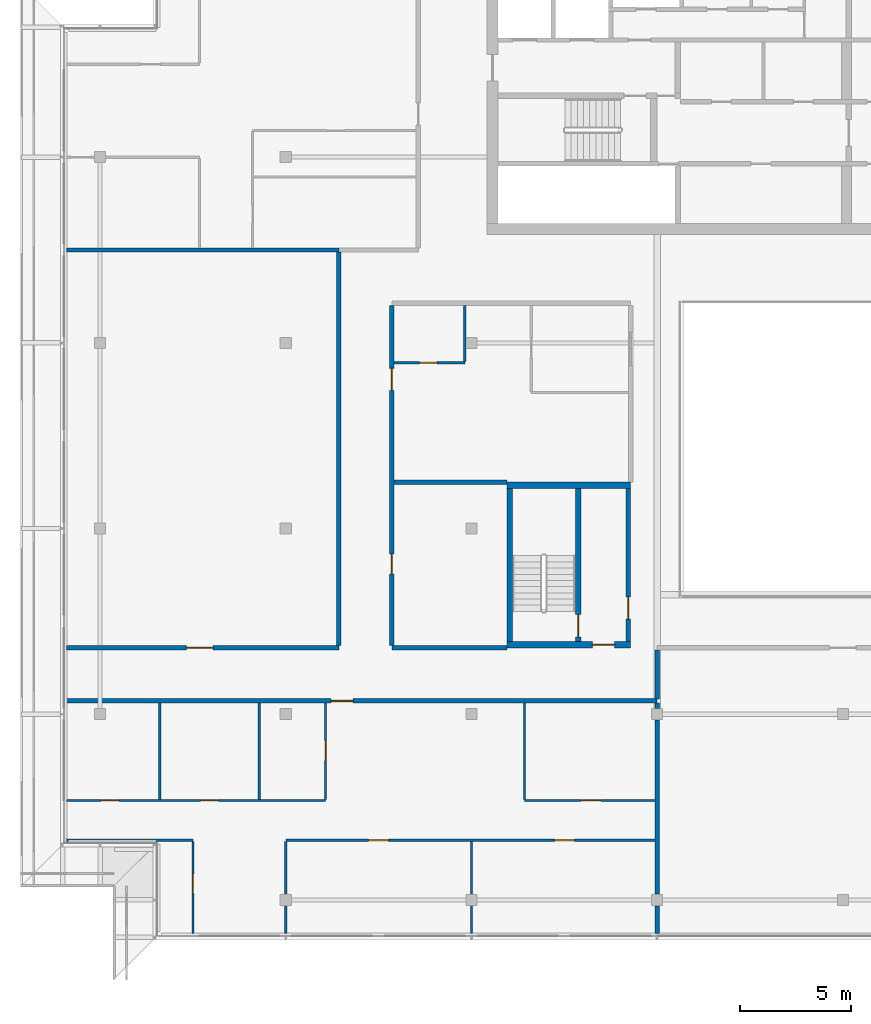
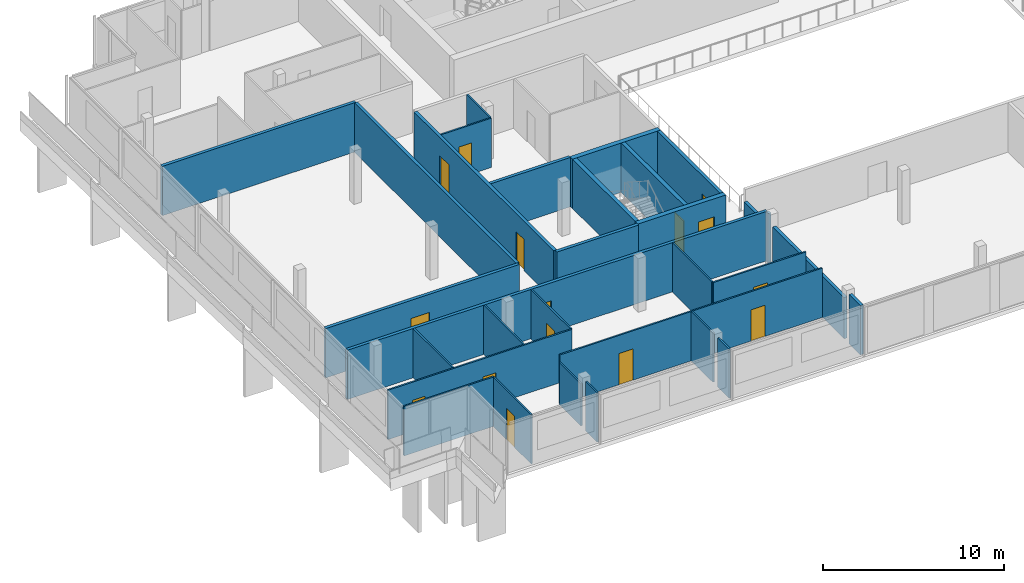
# One storey, part 16 of 27: 31 walls, 15 doors, 15 openings.
"""IFC4 building model written with IfcOpenShell, lengths in metres."""

from ifc_helpers import new_model, si_unit, direction, frame, frame_2d, origin, place, context, subcontext, project, spatial, rectangle, extrude, material, layer, layer_set, type_object, element, fill, save


model = new_model("IFC4")

# Units and contexts
model_context = context("Model", 3, precision=1e-05, world=origin(), true_north=direction((0.0, 1.0)))
body_context = subcontext(model_context, "Body", "Model", "MODEL_VIEW")
ifc_project = project(units=[si_unit("LENGTHUNIT", "METRE"), si_unit("AREAUNIT", "SQUARE_METRE"), si_unit("VOLUMEUNIT", "CUBIC_METRE"), si_unit("PLANEANGLEUNIT", "RADIAN"), si_unit("MASSUNIT", "GRAM", prefix="KILO")], contexts=[model_context])

# Site, building, storey
site_placement = place(None, origin())
site = spatial("IfcSite", under=ifc_project, at=site_placement, CompositionType="ELEMENT")
building_placement = place(site_placement, origin())
building = spatial("IfcBuilding", under=site, at=building_placement, Name="Saffron Gate Tower", CompositionType="ELEMENT")
storey_placement = place(building_placement, frame((0.0, 0.0, 267.14990234375)))
storey = spatial("IfcBuildingStorey", under=building, at=storey_placement, Name="L64", CompositionType="ELEMENT", Elevation=267.14990234375)

# Wall, opening, door
ifc_material_1 = material(Name="Gypsum board partition on steel studs", Category="steel")
ifc_layer_1 = layer(ifc_material_1, 0.199951171875)
ifc_layer_set_1 = layer_set([ifc_layer_1], Name="CW10 Core partition 200")
wall_type_1 = type_object("IfcWallType", Name="CW10 Core partition 200", PredefinedType="PARTITIONING", material=ifc_layer_set_1)
wall_1_placement = place(storey_placement, frame((73.699951171875, 43.5, 0.0), z_axis=(0.0, 0.0, 1.0), x_axis=(0.0, 1.0, 0.0)))
wall_1 = element("IfcWall", 1, at=wall_1_placement, inside=storey, type_object=wall_type_1, Name="Wall CW10-L64-D-4", PredefinedType="PARTITIONING", context=body_context, shape_type="SweptSolid", body=[
    extrude(rectangle(XDim=6.89990234375, YDim=0.199951171875, at=frame_2d((3.449951171875, 0.0))), origin(), (0.0, 0.0, 1.0), 3.320068359375),
])
opening_1_placement = place(wall_1_placement, frame((1.0, 0.0, 0.0)))
opening_1 = element("IfcOpeningElement", 2, at=opening_1_placement, cuts=wall_1, Name="Opening CR-19", PredefinedType="OPENING", context=body_context, shape_type="SweptSolid", body=[
    extrude(rectangle(XDim=1.0, YDim=2.10009765625, at=frame_2d((0.5, 1.050048828125))), frame((0.0, 0.10986328125, 0.0), z_axis=(0.0, -1.0, 0.0), x_axis=(1.0, 0.0, 0.0)), (0.0, 0.0, 1.0), 0.219970703125),
])
ifc_material_2 = material(Name="Steel fire door set", Category="steel")
door_type_1 = type_object("IfcDoorType", Name="CD4 Lobby door 1000x2100 EI 120", OperationType="NOTDEFINED", PredefinedType="DOOR", material=ifc_material_2)
door_1_placement = place(opening_1_placement, origin())
door_1 = element("IfcDoor", 3, at=door_1_placement, inside=storey, type_object=door_type_1, Name="DOOR CR-19", OperationType="SINGLE_SWING_RIGHT", OverallHeight=2.10009765625, OverallWidth=1.0, PredefinedType="DOOR", context=body_context, shape_type="SweptSolid", body=[
    extrude(rectangle(XDim=1.0, YDim=2.10009765625, at=frame_2d((0.5, 1.050048828125))), frame((0.0, 0.02490234375, 0.0), z_axis=(0.0, -1.0, 0.0), x_axis=(1.0, 0.0, 0.0)), (0.0, 0.0, 1.0), 0.050048828125),
])
fill(opening_1, door_1)

# Wall
ifc_material_3 = material(Name="Concrete C50", Category="concrete")
ifc_layer_2 = layer(ifc_material_3, 0.25)
ifc_layer_set_2 = layer_set([ifc_layer_2], Name="CW23 RC core wall 250 C50")
wall_type_2 = type_object("IfcWallType", Name="CW23 RC core wall 250 C50", PredefinedType="SOLIDWALL", material=ifc_layer_set_2)
wall_2_placement = place(storey_placement, frame((68.324951171875, 43.5, 0.0), z_axis=(0.0, 0.0, 1.0), x_axis=(0.0, 1.0, 0.0)))
element("IfcWall", 4, at=wall_2_placement, inside=storey, type_object=wall_type_2, Name="Wall CW23-L64-D-2", PredefinedType="SOLIDWALL", context=body_context, shape_type="SweptSolid", body=[
    extrude(rectangle(XDim=6.89990234375, YDim=0.25, at=frame_2d((3.449951171875, 0.0))), origin(), (0.0, 0.0, 1.0), 3.320068359375),
])

# Wall, opening, door
wall_3_placement = place(storey_placement, frame((71.425048828125, 43.5, 0.0), z_axis=(0.0, 0.0, 1.0), x_axis=(0.0, 1.0, 0.0)))
wall_3 = element("IfcWall", 5, at=wall_3_placement, inside=storey, type_object=wall_type_2, Name="Wall CW23-L64-D-3", PredefinedType="SOLIDWALL", context=body_context, shape_type="SweptSolid", body=[
    extrude(rectangle(XDim=6.89990234375, YDim=0.25, at=frame_2d((3.449951171875, 0.0))), origin(), (0.0, 0.0, 1.0), 3.320068359375),
])
opening_2_placement = place(wall_3_placement, frame((0.199951171875, 0.0, 0.0)))
opening_2 = element("IfcOpeningElement", 6, at=opening_2_placement, cuts=wall_3, Name="Opening CR-20", PredefinedType="OPENING", context=body_context, shape_type="SweptSolid", body=[
    extrude(rectangle(XDim=1.0, YDim=2.10009765625, at=frame_2d((0.5, 1.050048828125))), frame((0.0, 0.135009765625, 0.0), z_axis=(0.0, -1.0, 0.0), x_axis=(1.0, 0.0, 0.0)), (0.0, 0.0, 1.0), 0.27001953125),
])
door_type_2 = type_object("IfcDoorType", Name="CD5 Stair door 1000x2100 EI 120", OperationType="NOTDEFINED", PredefinedType="DOOR", material=ifc_material_2)
door_2_placement = place(opening_2_placement, origin())
door_2 = element("IfcDoor", 7, at=door_2_placement, inside=storey, type_object=door_type_2, Name="DOOR CR-20", OperationType="SINGLE_SWING_LEFT", OverallHeight=2.10009765625, OverallWidth=1.0, PredefinedType="DOOR", context=body_context, shape_type="SweptSolid", body=[
    extrude(rectangle(XDim=1.0, YDim=2.10009765625, at=frame_2d((0.5, 1.050048828125))), frame((0.0, 0.02490234375, 0.0), z_axis=(0.0, -1.0, 0.0), x_axis=(1.0, 0.0, 0.0)), (0.0, 0.0, 1.0), 0.050048828125),
])
fill(opening_2, door_2)

ifc_layer_3 = layer(ifc_material_3, 0.300048828125)
ifc_layer_set_3 = layer_set([ifc_layer_3], Name="CW26 RC core wall 300 C50")
wall_type_3 = type_object("IfcWallType", Name="CW26 RC core wall 300 C50", PredefinedType="SOLIDWALL", material=ifc_layer_set_3)
wall_4_placement = place(storey_placement, frame((68.199951171875, 43.35009765625, 0.0), z_axis=(0.0, 0.0, 1.0), x_axis=(1.0, 0.0, 0.0)))
wall_4 = element("IfcWall", 8, at=wall_4_placement, inside=storey, type_object=wall_type_3, Name="Wall CW26-L64-D-1", PredefinedType="SOLIDWALL", context=body_context, shape_type="SweptSolid", body=[
    extrude(rectangle(XDim=5.60009765625, YDim=0.300048828125, at=frame_2d((2.800048828125, 0.0))), origin(), (0.0, 0.0, 1.0), 3.320068359375),
])
opening_3_placement = place(wall_4_placement, frame((3.875, 0.0, 0.0)))
opening_3 = element("IfcOpeningElement", 9, at=opening_3_placement, cuts=wall_4, Name="Opening CR-18", PredefinedType="OPENING", context=body_context, shape_type="SweptSolid", body=[
    extrude(rectangle(XDim=1.0, YDim=2.10009765625, at=frame_2d((0.5, 1.050048828125))), frame((0.0, 0.16015625, 0.0), z_axis=(0.0, -1.0, 0.0), x_axis=(1.0, 0.0, 0.0)), (0.0, 0.0, 1.0), 0.320068359375),
])
door_3_placement = place(opening_3_placement, origin())
door_3 = element("IfcDoor", 10, at=door_3_placement, inside=storey, type_object=door_type_1, Name="DOOR CR-18", OperationType="SINGLE_SWING_RIGHT", OverallHeight=2.10009765625, OverallWidth=1.0, PredefinedType="DOOR", context=body_context, shape_type="SweptSolid", body=[
    extrude(rectangle(XDim=1.0, YDim=2.10009765625, at=frame_2d((0.5, 1.050048828125))), frame((0.0, 0.02490234375, 0.0), z_axis=(0.0, -1.0, 0.0), x_axis=(1.0, 0.0, 0.0)), (0.0, 0.0, 1.0), 0.050048828125),
])
fill(opening_3, door_3)

# Walls
wall_5_placement = place(storey_placement, frame((68.199951171875, 50.550048828125, 0.0), z_axis=(0.0, 0.0, 1.0), x_axis=(1.0, 0.0, 0.0)))
element("IfcWall", 11, at=wall_5_placement, inside=storey, type_object=wall_type_3, Name="Wall CW26-L64-D-5", PredefinedType="SOLIDWALL", context=body_context, shape_type="SweptSolid", body=[
    extrude(rectangle(XDim=5.60009765625, YDim=0.300048828125, at=frame_2d((2.800048828125, 0.0))), origin(), (0.0, 0.0, 1.0), 3.320068359375),
])
ifc_material_4 = material(Name="Plasterboard on steel studs", Category="steel")
ifc_layer_4 = layer(ifc_material_4, 0.10009765625)
ifc_layer_set_4 = layer_set([ifc_layer_4], Name="PW1 Partition 100")
wall_type_4 = type_object("IfcWallType", Name="PW1 Partition 100", PredefinedType="PARTITIONING", material=ifc_layer_set_4)
wall_6_placement = place(storey_placement, frame((48.280029296875, 34.5, 0.0), z_axis=(0.0, 0.0, 1.0), x_axis=(1.0, 0.0, 0.0)))
element("IfcWall", 12, at=wall_6_placement, inside=storey, type_object=wall_type_4, Name="Partition E1-1", PredefinedType="PARTITIONING", context=body_context, shape_type="SweptSolid", body=[
    extrude(rectangle(XDim=5.719970703125, YDim=0.10009765625, at=frame_2d((2.85986328125, 0.0))), origin(), (0.0, 0.0, 1.0), 3.320068359375),
])

# Wall, openings, doors
wall_7_placement = place(storey_placement, frame((74.89990234375, 34.5, 0.0), z_axis=(0.0, 0.0, 1.0), x_axis=(-1.0, 0.0, 0.0)))
wall_7 = element("IfcWall", 13, at=wall_7_placement, inside=storey, type_object=wall_type_4, Name="Partition E1-2", PredefinedType="PARTITIONING", context=body_context, shape_type="SweptSolid", body=[
    extrude(rectangle(XDim=16.699951171875, YDim=0.10009765625, at=frame_2d((8.35009765625, 0.0))), origin(), (0.0, 0.0, 1.0), 3.320068359375),
])
opening_4_placement = place(wall_7_placement, frame((3.64990234375, 0.0, 0.0)))
opening_4 = element("IfcOpeningElement", 14, at=opening_4_placement, cuts=wall_7, Name="Opening E1-9", PredefinedType="OPENING", context=body_context, shape_type="SweptSolid", body=[
    extrude(rectangle(XDim=0.89990234375, YDim=2.10009765625, at=frame_2d((0.449951171875, 1.050048828125))), frame((0.0, 0.06005859375, 0.0), z_axis=(0.0, -1.0, 0.0), x_axis=(1.0, 0.0, 0.0)), (0.0, 0.0, 1.0), 0.1201171875),
])
opening_5_placement = place(wall_7_placement, frame((12.050048828125, 0.0, 0.0)))
opening_5 = element("IfcOpeningElement", 15, at=opening_5_placement, cuts=wall_7, Name="Opening E1-8", PredefinedType="OPENING", context=body_context, shape_type="SweptSolid", body=[
    extrude(rectangle(XDim=0.89990234375, YDim=2.10009765625, at=frame_2d((0.449951171875, 1.050048828125))), frame((0.0, 0.06005859375, 0.0), z_axis=(0.0, -1.0, 0.0), x_axis=(1.0, 0.0, 0.0)), (0.0, 0.0, 1.0), 0.1201171875),
])
ifc_material_5 = material(Name="Timber door set", Category="wood")
door_type_3 = type_object("IfcDoorType", Name="RD1 Room door 900x2100", OperationType="NOTDEFINED", PredefinedType="DOOR", material=ifc_material_5)
door_4_placement = place(opening_4_placement, origin())
door_4 = element("IfcDoor", 16, at=door_4_placement, inside=storey, type_object=door_type_3, Name="Door E1-9", OperationType="SINGLE_SWING_LEFT", OverallHeight=2.10009765625, OverallWidth=0.89990234375, PredefinedType="DOOR", context=body_context, shape_type="SweptSolid", body=[
    extrude(rectangle(XDim=0.89990234375, YDim=2.10009765625, at=frame_2d((0.449951171875, 1.050048828125))), frame((0.0, 0.02490234375, 0.0), z_axis=(0.0, -1.0, 0.0), x_axis=(1.0, 0.0, 0.0)), (0.0, 0.0, 1.0), 0.050048828125),
])
fill(opening_4, door_4)
door_5_placement = place(opening_5_placement, origin())
door_5 = element("IfcDoor", 17, at=door_5_placement, inside=storey, type_object=door_type_3, Name="Door E1-8", OperationType="SINGLE_SWING_RIGHT", OverallHeight=2.10009765625, OverallWidth=0.89990234375, PredefinedType="DOOR", context=body_context, shape_type="SweptSolid", body=[
    extrude(rectangle(XDim=0.89990234375, YDim=2.10009765625, at=frame_2d((0.449951171875, 1.050048828125))), frame((0.0, 0.02490234375, 0.0), z_axis=(0.0, -1.0, 0.0), x_axis=(1.0, 0.0, 0.0)), (0.0, 0.0, 1.0), 0.050048828125),
])
fill(opening_5, door_5)

wall_8_placement = place(storey_placement, frame((48.280029296875, 36.300048828125, 0.0), z_axis=(0.0, 0.0, 1.0), x_axis=(1.0, 0.0, 0.0)))
wall_8 = element("IfcWall", 18, at=wall_8_placement, inside=storey, type_object=wall_type_4, Name="Partition E1-3", PredefinedType="PARTITIONING", context=body_context, shape_type="SweptSolid", body=[
    extrude(rectangle(XDim=11.719970703125, YDim=0.10009765625, at=frame_2d((5.85986328125, 0.0))), origin(), (0.0, 0.0, 1.0), 3.320068359375),
])
opening_6_placement = place(wall_8_placement, frame((1.570068359375, 0.0, 0.0)))
opening_6 = element("IfcOpeningElement", 19, at=opening_6_placement, cuts=wall_8, Name="Opening E1-26", PredefinedType="OPENING", context=body_context, shape_type="SweptSolid", body=[
    extrude(rectangle(XDim=0.800048828125, YDim=2.10009765625, at=frame_2d((0.39990234375, 1.050048828125))), frame((0.0, 0.06005859375, 0.0), z_axis=(0.0, -1.0, 0.0), x_axis=(1.0, 0.0, 0.0)), (0.0, 0.0, 1.0), 0.1201171875),
])
opening_7_placement = place(wall_8_placement, frame((6.070068359375, 0.0, 0.0)))
opening_7 = element("IfcOpeningElement", 20, at=opening_7_placement, cuts=wall_8, Name="Opening E1-27", PredefinedType="OPENING", context=body_context, shape_type="SweptSolid", body=[
    extrude(rectangle(XDim=0.800048828125, YDim=2.10009765625, at=frame_2d((0.39990234375, 1.050048828125))), frame((0.0, 0.06005859375, 0.0), z_axis=(0.0, -1.0, 0.0), x_axis=(1.0, 0.0, 0.0)), (0.0, 0.0, 1.0), 0.1201171875),
])
door_type_4 = type_object("IfcDoorType", Name="RD2 Bathroom door 800x2100", OperationType="NOTDEFINED", PredefinedType="DOOR", material=ifc_material_5)
door_6_placement = place(opening_6_placement, origin())
door_6 = element("IfcDoor", 21, at=door_6_placement, inside=storey, type_object=door_type_4, Name="Door E1-26", OperationType="SINGLE_SWING_LEFT", OverallHeight=2.10009765625, OverallWidth=0.800048828125, PredefinedType="DOOR", context=body_context, shape_type="SweptSolid", body=[
    extrude(rectangle(XDim=0.800048828125, YDim=2.10009765625, at=frame_2d((0.39990234375, 1.050048828125))), frame((0.0, 0.02490234375, 0.0), z_axis=(0.0, -1.0, 0.0), x_axis=(1.0, 0.0, 0.0)), (0.0, 0.0, 1.0), 0.050048828125),
])
fill(opening_6, door_6)
door_7_placement = place(opening_7_placement, origin())
door_7 = element("IfcDoor", 22, at=door_7_placement, inside=storey, type_object=door_type_4, Name="Door E1-27", OperationType="SINGLE_SWING_LEFT", OverallHeight=2.10009765625, OverallWidth=0.800048828125, PredefinedType="DOOR", context=body_context, shape_type="SweptSolid", body=[
    extrude(rectangle(XDim=0.800048828125, YDim=2.10009765625, at=frame_2d((0.39990234375, 1.050048828125))), frame((0.0, 0.02490234375, 0.0), z_axis=(0.0, -1.0, 0.0), x_axis=(1.0, 0.0, 0.0)), (0.0, 0.0, 1.0), 0.050048828125),
])
fill(opening_7, door_7)

# Wall, opening, door
wall_9_placement = place(storey_placement, frame((69.0, 36.300048828125, 0.0), z_axis=(0.0, 0.0, 1.0), x_axis=(1.0, 0.0, 0.0)))
wall_9 = element("IfcWall", 23, at=wall_9_placement, inside=storey, type_object=wall_type_4, Name="Partition E1-4", PredefinedType="PARTITIONING", context=body_context, shape_type="SweptSolid", body=[
    extrude(rectangle(XDim=5.89990234375, YDim=0.10009765625, at=frame_2d((2.949951171875, 0.0))), origin(), (0.0, 0.0, 1.0), 3.320068359375),
])
opening_8_placement = place(wall_9_placement, frame((2.550048828125, 0.0, 0.0)))
opening_8 = element("IfcOpeningElement", 24, at=opening_8_placement, cuts=wall_9, Name="Opening E1-10", PredefinedType="OPENING", context=body_context, shape_type="SweptSolid", body=[
    extrude(rectangle(XDim=0.89990234375, YDim=2.10009765625, at=frame_2d((0.449951171875, 1.050048828125))), frame((0.0, 0.06005859375, 0.0), z_axis=(0.0, -1.0, 0.0), x_axis=(1.0, 0.0, 0.0)), (0.0, 0.0, 1.0), 0.1201171875),
])
door_8_placement = place(opening_8_placement, origin())
door_8 = element("IfcDoor", 25, at=door_8_placement, inside=storey, type_object=door_type_3, Name="Door E1-10", OperationType="SINGLE_SWING_RIGHT", OverallHeight=2.10009765625, OverallWidth=0.89990234375, PredefinedType="DOOR", context=body_context, shape_type="SweptSolid", body=[
    extrude(rectangle(XDim=0.89990234375, YDim=2.10009765625, at=frame_2d((0.449951171875, 1.050048828125))), frame((0.0, 0.02490234375, 0.0), z_axis=(0.0, -1.0, 0.0), x_axis=(1.0, 0.0, 0.0)), (0.0, 0.0, 1.0), 0.050048828125),
])
fill(opening_8, door_8)

wall_10_placement = place(storey_placement, frame((63.10009765625, 56.10009765625, 0.0), z_axis=(0.0, 0.0, 1.0), x_axis=(1.0, 0.0, 0.0)))
wall_10 = element("IfcWall", 26, at=wall_10_placement, inside=storey, type_object=wall_type_4, Name="Partition E1-21", PredefinedType="PARTITIONING", context=body_context, shape_type="SweptSolid", body=[
    extrude(rectangle(XDim=3.199951171875, YDim=0.10009765625, at=frame_2d((1.60009765625, 0.0))), origin(), (0.0, 0.0, 1.0), 3.320068359375),
])
opening_9_placement = place(wall_10_placement, frame((1.14990234375, 0.0, 0.0)))
opening_9 = element("IfcOpeningElement", 27, at=opening_9_placement, cuts=wall_10, Name="Opening E1-33", PredefinedType="OPENING", context=body_context, shape_type="SweptSolid", body=[
    extrude(rectangle(XDim=0.800048828125, YDim=2.10009765625, at=frame_2d((0.39990234375, 1.050048828125))), frame((0.0, 0.06005859375, 0.0), z_axis=(0.0, -1.0, 0.0), x_axis=(1.0, 0.0, 0.0)), (0.0, 0.0, 1.0), 0.1201171875),
])
door_9_placement = place(opening_9_placement, origin())
door_9 = element("IfcDoor", 28, at=door_9_placement, inside=storey, type_object=door_type_4, Name="Door E1-33", OperationType="SINGLE_SWING_LEFT", OverallHeight=2.10009765625, OverallWidth=0.800048828125, PredefinedType="DOOR", context=body_context, shape_type="SweptSolid", body=[
    extrude(rectangle(XDim=0.800048828125, YDim=2.10009765625, at=frame_2d((0.39990234375, 1.050048828125))), frame((0.0, 0.02490234375, 0.0), z_axis=(0.0, -1.0, 0.0), x_axis=(1.0, 0.0, 0.0)), (0.0, 0.0, 1.0), 0.050048828125),
])
fill(opening_9, door_9)

# Wall
wall_11_placement = place(storey_placement, frame((52.5, 40.699951171875, 0.0), z_axis=(0.0, 0.0, 1.0), x_axis=(0.0, -1.0, 0.0)))
element("IfcWall", 29, at=wall_11_placement, inside=storey, type_object=wall_type_4, Name="Partition E1-39", PredefinedType="PARTITIONING", context=body_context, shape_type="SweptSolid", body=[
    extrude(rectangle(XDim=4.349853515625, YDim=0.10009765625, at=frame_2d((2.1748046875, 0.0))), origin(), (0.0, 0.0, 1.0), 3.320068359375),
])

# Wall, opening, door
wall_12_placement = place(storey_placement, frame((54.0, 30.280029296875, 0.0), z_axis=(0.0, 0.0, 1.0), x_axis=(0.0, 1.0, 0.0)))
wall_12 = element("IfcWall", 30, at=wall_12_placement, inside=storey, type_object=wall_type_4, Name="Partition E1-40", PredefinedType="PARTITIONING", context=body_context, shape_type="SweptSolid", body=[
    extrude(rectangle(XDim=4.169921875, YDim=0.10009765625, at=frame_2d((2.0849609375, 0.0))), origin(), (0.0, 0.0, 1.0), 3.320068359375),
])
opening_10_placement = place(wall_12_placement, frame((1.802734375, 0.0, 0.0)))
opening_10 = element("IfcOpeningElement", 31, at=opening_10_placement, cuts=wall_12, Name="Opening E1-7", PredefinedType="OPENING", context=body_context, shape_type="SweptSolid", body=[
    extrude(rectangle(XDim=0.89990234375, YDim=2.10009765625, at=frame_2d((0.449951171875, 1.050048828125))), frame((0.0, 0.06005859375, 0.0), z_axis=(0.0, -1.0, 0.0), x_axis=(1.0, 0.0, 0.0)), (0.0, 0.0, 1.0), 0.1201171875),
])
door_10_placement = place(opening_10_placement, origin())
door_10 = element("IfcDoor", 32, at=door_10_placement, inside=storey, type_object=door_type_3, Name="Door E1-7", OperationType="SINGLE_SWING_RIGHT", OverallHeight=2.10009765625, OverallWidth=0.89990234375, PredefinedType="DOOR", context=body_context, shape_type="SweptSolid", body=[
    extrude(rectangle(XDim=0.89990234375, YDim=2.10009765625, at=frame_2d((0.449951171875, 1.050048828125))), frame((0.0, 0.02490234375, 0.0), z_axis=(0.0, -1.0, 0.0), x_axis=(1.0, 0.0, 0.0)), (0.0, 0.0, 1.0), 0.050048828125),
])
fill(opening_10, door_10)

# Walls
wall_13_placement = place(storey_placement, frame((57.0, 40.699951171875, 0.0), z_axis=(0.0, 0.0, 1.0), x_axis=(0.0, -1.0, 0.0)))
element("IfcWall", 33, at=wall_13_placement, inside=storey, type_object=wall_type_4, Name="Partition E1-45", PredefinedType="PARTITIONING", context=body_context, shape_type="SweptSolid", body=[
    extrude(rectangle(XDim=4.349853515625, YDim=0.10009765625, at=frame_2d((2.1748046875, 0.0))), origin(), (0.0, 0.0, 1.0), 3.320068359375),
])
wall_14_placement = place(storey_placement, frame((58.199951171875, 31.530029296875, 0.0), z_axis=(0.0, 0.0, 1.0), x_axis=(0.0, -1.0, 0.0)))
element("IfcWall", 34, at=wall_14_placement, inside=storey, type_object=wall_type_4, Name="Partition E1-46", PredefinedType="PARTITIONING", context=body_context, shape_type="SweptSolid", body=[
    extrude(rectangle(XDim=1.25, YDim=0.10009765625, at=frame_2d((0.625, 0.0))), origin(), (0.0, 0.0, 1.0), 3.320068359375),
])
wall_15_placement = place(storey_placement, frame((58.199951171875, 34.449951171875, 0.0), z_axis=(0.0, 0.0, 1.0), x_axis=(0.0, -1.0, 0.0)))
element("IfcWall", 35, at=wall_15_placement, inside=storey, type_object=wall_type_4, Name="Partition E1-47", PredefinedType="PARTITIONING", context=body_context, shape_type="SweptSolid", body=[
    extrude(rectangle(XDim=2.3798828125, YDim=0.10009765625, at=frame_2d((1.18994140625, 0.0))), origin(), (0.0, 0.0, 1.0), 2.830078125),
])

# Wall, opening, door
wall_16_placement = place(storey_placement, frame((60.0, 36.35009765625, 0.0), z_axis=(0.0, 0.0, 1.0), x_axis=(0.0, 1.0, 0.0)))
wall_16 = element("IfcWall", 36, at=wall_16_placement, inside=storey, type_object=wall_type_4, Name="Partition E1-48", PredefinedType="PARTITIONING", context=body_context, shape_type="SweptSolid", body=[
    extrude(rectangle(XDim=4.349853515625, YDim=0.10009765625, at=frame_2d((2.1748046875, 0.0))), origin(), (0.0, 0.0, 1.0), 3.320068359375),
])
opening_11_placement = place(wall_16_placement, frame((1.75, 0.0, 0.0)))
opening_11 = element("IfcOpeningElement", 37, at=opening_11_placement, cuts=wall_16, Name="Opening E1-11", PredefinedType="OPENING", context=body_context, shape_type="SweptSolid", body=[
    extrude(rectangle(XDim=0.89990234375, YDim=2.10009765625, at=frame_2d((0.449951171875, 1.050048828125))), frame((0.0, 0.06005859375, 0.0), z_axis=(0.0, -1.0, 0.0), x_axis=(1.0, 0.0, 0.0)), (0.0, 0.0, 1.0), 0.1201171875),
])
door_11_placement = place(opening_11_placement, origin())
door_11 = element("IfcDoor", 38, at=door_11_placement, inside=storey, type_object=door_type_3, Name="Door E1-11", OperationType="SINGLE_SWING_RIGHT", OverallHeight=2.10009765625, OverallWidth=0.89990234375, PredefinedType="DOOR", context=body_context, shape_type="SweptSolid", body=[
    extrude(rectangle(XDim=0.89990234375, YDim=2.10009765625, at=frame_2d((0.449951171875, 1.050048828125))), frame((0.0, 0.02490234375, 0.0), z_axis=(0.0, -1.0, 0.0), x_axis=(1.0, 0.0, 0.0)), (0.0, 0.0, 1.0), 0.050048828125),
])
fill(opening_11, door_11)

# Walls
wall_17_placement = place(storey_placement, frame((66.300048828125, 58.699951171875, 0.0), z_axis=(0.0, 0.0, 1.0), x_axis=(0.0, -1.0, 0.0)))
element("IfcWall", 39, at=wall_17_placement, inside=storey, type_object=wall_type_4, Name="Partition E1-52", PredefinedType="PARTITIONING", context=body_context, shape_type="SweptSolid", body=[
    extrude(rectangle(XDim=2.550048828125, YDim=0.10009765625, at=frame_2d((1.27490234375, 0.0))), origin(), (0.0, 0.0, 1.0), 3.320068359375),
])
wall_18_placement = place(storey_placement, frame((66.60009765625, 31.530029296875, 0.0), z_axis=(0.0, 0.0, 1.0), x_axis=(0.0, -1.0, 0.0)))
element("IfcWall", 40, at=wall_18_placement, inside=storey, type_object=wall_type_4, Name="Partition E1-53", PredefinedType="PARTITIONING", context=body_context, shape_type="SweptSolid", body=[
    extrude(rectangle(XDim=1.25, YDim=0.10009765625, at=frame_2d((0.625, 0.0))), origin(), (0.0, 0.0, 1.0), 3.320068359375),
])
wall_19_placement = place(storey_placement, frame((66.60009765625, 34.449951171875, 0.0), z_axis=(0.0, 0.0, 1.0), x_axis=(0.0, -1.0, 0.0)))
element("IfcWall", 41, at=wall_19_placement, inside=storey, type_object=wall_type_4, Name="Partition E1-54", PredefinedType="PARTITIONING", context=body_context, shape_type="SweptSolid", body=[
    extrude(rectangle(XDim=2.3798828125, YDim=0.10009765625, at=frame_2d((1.18994140625, 0.0))), origin(), (0.0, 0.0, 1.0), 3.320068359375),
])
wall_20_placement = place(storey_placement, frame((69.0, 40.699951171875, 0.0), z_axis=(0.0, 0.0, 1.0), x_axis=(0.0, -1.0, 0.0)))
element("IfcWall", 42, at=wall_20_placement, inside=storey, type_object=wall_type_4, Name="Partition E1-55", PredefinedType="PARTITIONING", context=body_context, shape_type="SweptSolid", body=[
    extrude(rectangle(XDim=4.349853515625, YDim=0.10009765625, at=frame_2d((2.1748046875, 0.0))), origin(), (0.0, 0.0, 1.0), 3.320068359375),
])
ifc_material_6 = material(Name="Clay brick masonry, rendered", Category="masonry")
ifc_layer_5 = layer(ifc_material_6, 0.199951171875)
ifc_layer_set_5 = layer_set([ifc_layer_5], Name="PW2 Demising wall 200")
wall_type_5 = type_object("IfcWallType", Name="PW2 Demising wall 200", PredefinedType="PARTITIONING", material=ifc_layer_set_5)
wall_21_placement = place(storey_placement, frame((63.10009765625, 50.699951171875, 0.0), z_axis=(0.0, 0.0, 1.0), x_axis=(1.0, 0.0, 0.0)))
element("IfcWall", 43, at=wall_21_placement, inside=storey, type_object=wall_type_5, Name="Wall E1-16", PredefinedType="PARTITIONING", context=body_context, shape_type="SweptSolid", body=[
    extrude(rectangle(XDim=5.099853515625, YDim=0.199951171875, at=frame_2d((2.5498046875, 0.0))), origin(), (0.0, 0.0, 1.0), 3.320068359375),
])

# Wall, opening, door
ifc_layer_6 = layer(ifc_material_6, 0.199951171875)
ifc_layer_set_6 = layer_set([ifc_layer_6], Name="PW3 Corridor wall 200")
wall_type_6 = type_object("IfcWallType", Name="PW3 Corridor wall 200", PredefinedType="PARTITIONING", material=ifc_layer_set_6)
wall_22_placement = place(storey_placement, frame((75.0, 40.800048828125, 0.0), z_axis=(0.0, 0.0, 1.0), x_axis=(-1.0, 0.0, 0.0)))
wall_22 = element("IfcWall", 44, at=wall_22_placement, inside=storey, type_object=wall_type_6, Name="Wall E1-9", PredefinedType="PARTITIONING", context=body_context, shape_type="SweptSolid", body=[
    extrude(rectangle(XDim=26.719970703125, YDim=0.199951171875, at=frame_2d((13.35986328125, 0.0))), origin(), (0.0, 0.0, 1.0), 3.320068359375),
])
opening_12_placement = place(wall_22_placement, frame((13.75, 0.0, 0.0)))
opening_12 = element("IfcOpeningElement", 45, at=opening_12_placement, cuts=wall_22, Name="Opening E1-1", PredefinedType="OPENING", context=body_context, shape_type="SweptSolid", body=[
    extrude(rectangle(XDim=1.0, YDim=2.10009765625, at=frame_2d((0.5, 1.050048828125))), frame((0.0, 0.10986328125, 0.0), z_axis=(0.0, -1.0, 0.0), x_axis=(1.0, 0.0, 0.0)), (0.0, 0.0, 1.0), 0.219970703125),
])
ifc_material_7 = material(Name="Timber fire door set", Category="wood")
door_type_5 = type_object("IfcDoorType", Name="FD1 Flat entry door 1000x2100", OperationType="NOTDEFINED", PredefinedType="DOOR", material=ifc_material_7)
door_12_placement = place(opening_12_placement, origin())
door_12 = element("IfcDoor", 46, at=door_12_placement, inside=storey, type_object=door_type_5, Name="Door E1-1", OperationType="SINGLE_SWING_LEFT", OverallHeight=2.10009765625, OverallWidth=1.0, PredefinedType="DOOR", context=body_context, shape_type="SweptSolid", body=[
    extrude(rectangle(XDim=1.0, YDim=2.10009765625, at=frame_2d((0.5, 1.050048828125))), frame((0.0, 0.02490234375, 0.0), z_axis=(0.0, -1.0, 0.0), x_axis=(1.0, 0.0, 0.0)), (0.0, 0.0, 1.0), 0.050048828125),
])
fill(opening_12, door_12)

wall_23_placement = place(storey_placement, frame((48.280029296875, 43.199951171875, 0.0), z_axis=(0.0, 0.0, 1.0), x_axis=(1.0, 0.0, 0.0)))
wall_23 = element("IfcWall", 47, at=wall_23_placement, inside=storey, type_object=wall_type_6, Name="Wall E1-11", PredefinedType="PARTITIONING", context=body_context, shape_type="SweptSolid", body=[
    extrude(rectangle(XDim=12.320068359375, YDim=0.199951171875, at=frame_2d((6.16015625, 0.0))), origin(), (0.0, 0.0, 1.0), 3.320068359375),
])
opening_13_placement = place(wall_23_placement, frame((5.419921875, 0.0, 0.0)))
opening_13 = element("IfcOpeningElement", 48, at=opening_13_placement, cuts=wall_23, Name="Opening E1-40", PredefinedType="OPENING", context=body_context, shape_type="SweptSolid", body=[
    extrude(rectangle(XDim=1.199951171875, YDim=2.10009765625, at=frame_2d((0.60009765625, 1.050048828125))), frame((0.0, 0.10986328125, 0.0), z_axis=(0.0, -1.0, 0.0), x_axis=(1.0, 0.0, 0.0)), (0.0, 0.0, 1.0), 0.219970703125),
])
door_type_6 = type_object("IfcDoorType", Name="HD1 Hall door 1200x2100", OperationType="NOTDEFINED", PredefinedType="DOOR", material=ifc_material_5)
door_13_placement = place(opening_13_placement, origin())
door_13 = element("IfcDoor", 49, at=door_13_placement, inside=storey, type_object=door_type_6, Name="Door E1-40", OperationType="SINGLE_SWING_LEFT", OverallHeight=2.10009765625, OverallWidth=1.199951171875, PredefinedType="DOOR", context=body_context, shape_type="SweptSolid", body=[
    extrude(rectangle(XDim=1.199951171875, YDim=2.10009765625, at=frame_2d((0.60009765625, 1.050048828125))), frame((0.0, 0.02490234375, 0.0), z_axis=(0.0, -1.0, 0.0), x_axis=(1.0, 0.0, 0.0)), (0.0, 0.0, 1.0), 0.050048828125),
])
fill(opening_13, door_13)

# Walls
wall_24_placement = place(storey_placement, frame((63.0, 43.199951171875, 0.0), z_axis=(0.0, 0.0, 1.0), x_axis=(1.0, 0.0, 0.0)))
element("IfcWall", 50, at=wall_24_placement, inside=storey, type_object=wall_type_6, Name="Wall E1-12", PredefinedType="PARTITIONING", context=body_context, shape_type="SweptSolid", body=[
    extrude(rectangle(XDim=5.199951171875, YDim=0.199951171875, at=frame_2d((2.60009765625, 0.0))), origin(), (0.0, 0.0, 1.0), 3.320068359375),
])
wall_25_placement = place(storey_placement, frame((60.60009765625, 61.10009765625, 0.0), z_axis=(0.0, 0.0, 1.0), x_axis=(0.0, -1.0, 0.0)))
element("IfcWall", 51, at=wall_25_placement, inside=storey, type_object=wall_type_6, Name="Wall E1-49", PredefinedType="PARTITIONING", context=body_context, shape_type="SweptSolid", body=[
    extrude(rectangle(XDim=17.800048828125, YDim=0.199951171875, at=frame_2d((8.89990234375, 0.0))), origin(), (0.0, 0.0, 1.0), 3.320068359375),
])

# Wall, openings, doors
wall_26_placement = place(storey_placement, frame((63.0, 58.699951171875, 0.0), z_axis=(0.0, 0.0, 1.0), x_axis=(0.0, -1.0, 0.0)))
wall_26 = element("IfcWall", 52, at=wall_26_placement, inside=storey, type_object=wall_type_6, Name="Wall E1-50", PredefinedType="PARTITIONING", context=body_context, shape_type="SweptSolid", body=[
    extrude(rectangle(XDim=15.39990234375, YDim=0.199951171875, at=frame_2d((7.699951171875, 0.0))), origin(), (0.0, 0.0, 1.0), 3.320068359375),
])
opening_14_placement = place(wall_26_placement, frame((2.85009765625, 0.0, 0.0)))
opening_14 = element("IfcOpeningElement", 53, at=opening_14_placement, cuts=wall_26, Name="Opening E1-5", PredefinedType="OPENING", context=body_context, shape_type="SweptSolid", body=[
    extrude(rectangle(XDim=1.0, YDim=2.10009765625, at=frame_2d((0.5, 1.050048828125))), frame((0.0, 0.10986328125, 0.0), z_axis=(0.0, -1.0, 0.0), x_axis=(1.0, 0.0, 0.0)), (0.0, 0.0, 1.0), 0.219970703125),
])
opening_15_placement = place(wall_26_placement, frame((11.25, 0.0, 0.0)))
opening_15 = element("IfcOpeningElement", 54, at=opening_15_placement, cuts=wall_26, Name="Opening E1-36", PredefinedType="OPENING", context=body_context, shape_type="SweptSolid", body=[
    extrude(rectangle(XDim=0.89990234375, YDim=2.10009765625, at=frame_2d((0.449951171875, 1.050048828125))), frame((0.0, 0.10986328125, 0.0), z_axis=(0.0, -1.0, 0.0), x_axis=(1.0, 0.0, 0.0)), (0.0, 0.0, 1.0), 0.219970703125),
])
door_14_placement = place(opening_14_placement, origin())
door_14 = element("IfcDoor", 55, at=door_14_placement, inside=storey, type_object=door_type_5, Name="Door E1-5", OperationType="SINGLE_SWING_LEFT", OverallHeight=2.10009765625, OverallWidth=1.0, PredefinedType="DOOR", context=body_context, shape_type="SweptSolid", body=[
    extrude(rectangle(XDim=1.0, YDim=2.10009765625, at=frame_2d((0.5, 1.050048828125))), frame((0.0, 0.02490234375, 0.0), z_axis=(0.0, -1.0, 0.0), x_axis=(1.0, 0.0, 0.0)), (0.0, 0.0, 1.0), 0.050048828125),
])
fill(opening_14, door_14)
door_type_7 = type_object("IfcDoorType", Name="SD1 Service door 900x2100", OperationType="NOTDEFINED", PredefinedType="DOOR", material=ifc_material_2)
door_15_placement = place(opening_15_placement, origin())
door_15 = element("IfcDoor", 56, at=door_15_placement, inside=storey, type_object=door_type_7, Name="Door E1-36", OperationType="SINGLE_SWING_RIGHT", OverallHeight=2.10009765625, OverallWidth=0.89990234375, PredefinedType="DOOR", context=body_context, shape_type="SweptSolid", body=[
    extrude(rectangle(XDim=0.89990234375, YDim=2.10009765625, at=frame_2d((0.449951171875, 1.050048828125))), frame((0.0, 0.02490234375, 0.0), z_axis=(0.0, -1.0, 0.0), x_axis=(1.0, 0.0, 0.0)), (0.0, 0.0, 1.0), 0.050048828125),
])
fill(opening_15, door_15)

# Walls
wall_27_placement = place(storey_placement, frame((75.0, 43.10009765625, 0.0), z_axis=(0.0, 0.0, 1.0), x_axis=(0.0, -1.0, 0.0)))
element("IfcWall", 57, at=wall_27_placement, inside=storey, type_object=wall_type_6, Name="Wall E1-58", PredefinedType="PARTITIONING", context=body_context, shape_type="SweptSolid", body=[
    extrude(rectangle(XDim=2.2001953125, YDim=0.199951171875, at=frame_2d((1.10009765625, 0.0))), origin(), (0.0, 0.0, 1.0), 2.530029296875),
])
ifc_layer_7 = layer(ifc_material_6, 0.199951171875)
ifc_layer_set_7 = layer_set([ifc_layer_7], Name="PW5 Room wall 200")
wall_type_7 = type_object("IfcWallType", Name="PW5 Room wall 200", PredefinedType="PARTITIONING", material=ifc_layer_set_7)
wall_28_placement = place(storey_placement, frame((48.280029296875, 61.199951171875, 0.0), z_axis=(0.0, 0.0, 1.0), x_axis=(1.0, 0.0, 0.0)))
element("IfcWall", 58, at=wall_28_placement, inside=storey, type_object=wall_type_7, Name="Wall E1-26", PredefinedType="PARTITIONING", context=body_context, shape_type="SweptSolid", body=[
    extrude(rectangle(XDim=12.320068359375, YDim=0.199951171875, at=frame_2d((6.16015625, 0.0))), origin(), (0.0, 0.0, 1.0), 3.320068359375),
])
wall_29_placement = place(storey_placement, frame((75.0, 31.530029296875, 0.0), z_axis=(0.0, 0.0, 1.0), x_axis=(0.0, -1.0, 0.0)))
element("IfcWall", 59, at=wall_29_placement, inside=storey, type_object=wall_type_7, Name="Wall E1-59", PredefinedType="PARTITIONING", context=body_context, shape_type="SweptSolid", body=[
    extrude(rectangle(XDim=1.25, YDim=0.199951171875, at=frame_2d((0.625, 0.0))), origin(), (0.0, 0.0, 1.0), 3.320068359375),
])
wall_30_placement = place(storey_placement, frame((75.0, 39.929931640625, 0.0), z_axis=(0.0, 0.0, 1.0), x_axis=(0.0, -1.0, 0.0)))
element("IfcWall", 60, at=wall_30_placement, inside=storey, type_object=wall_type_7, Name="Wall E1-60", PredefinedType="PARTITIONING", context=body_context, shape_type="SweptSolid", body=[
    extrude(rectangle(XDim=7.85986328125, YDim=0.199951171875, at=frame_2d((3.929931640625, 0.0))), origin(), (0.0, 0.0, 1.0), 2.77001953125),
])
wall_31_placement = place(storey_placement, frame((75.0, 40.699951171875, 0.0), z_axis=(0.0, 0.0, 1.0), x_axis=(0.0, -1.0, 0.0)))
element("IfcWall", 61, at=wall_31_placement, inside=storey, type_object=wall_type_7, Name="Wall E1-61", PredefinedType="PARTITIONING", context=body_context, shape_type="SweptSolid", body=[
    extrude(rectangle(XDim=0.22998046875, YDim=0.199951171875, at=frame_2d((0.114990234375, 0.0))), origin(), (0.0, 0.0, 1.0), 3.320068359375),
])

save(model, "model.ifc")
